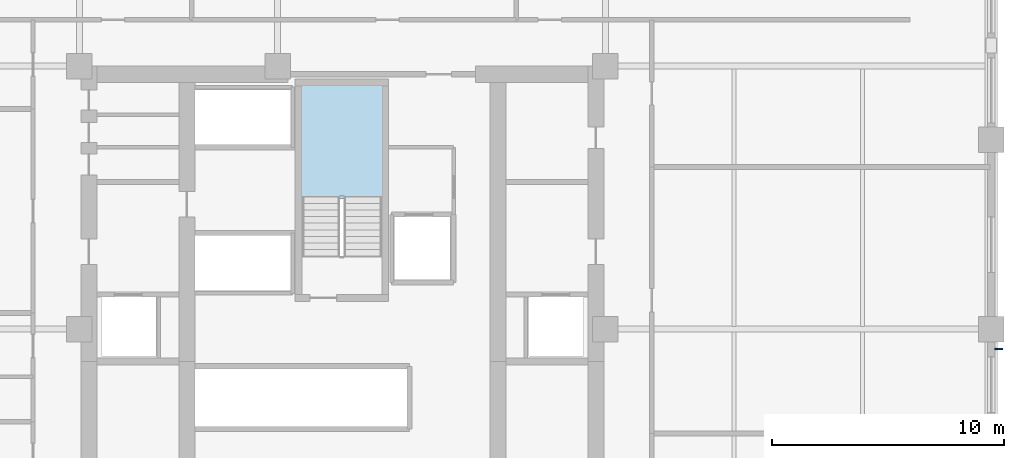
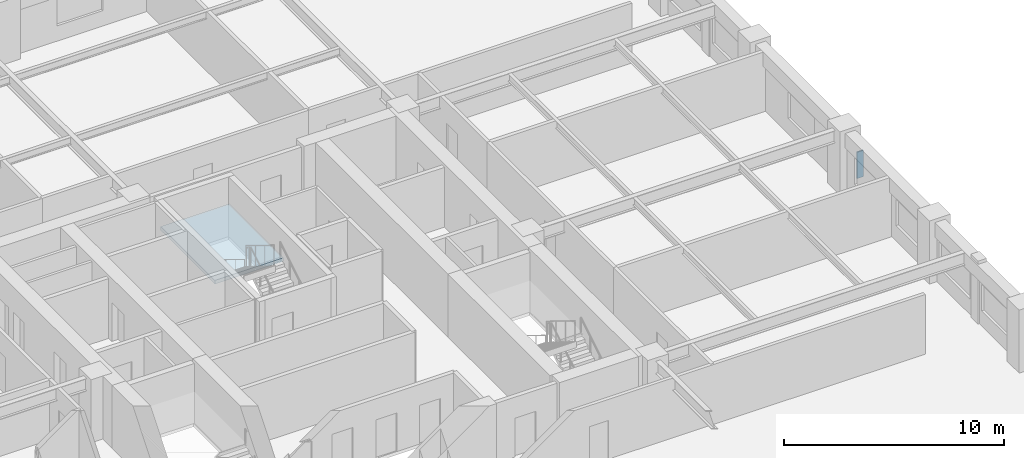
# One storey, part 6 of 13: 1 plate, 1 slab, 1 element without a shape of its own.
"""IFC4 building model written with IfcOpenShell, lengths in metres."""

from ifc_helpers import new_model, si_unit, direction, frame, origin, origin_2d, place, context, subcontext, project, spatial, polyline, rectangle, outline, extrude, material, layer, layer_set, type_object, element, aggregate, save


model = new_model("IFC4")

# Units and contexts
model_context = context("Model", 3, precision=1e-05, world=origin(), true_north=direction((0.0, 1.0)))
body_context = subcontext(model_context, "Body", "Model", "MODEL_VIEW")
ifc_project = project(units=[si_unit("LENGTHUNIT", "METRE"), si_unit("AREAUNIT", "SQUARE_METRE"), si_unit("VOLUMEUNIT", "CUBIC_METRE"), si_unit("PLANEANGLEUNIT", "RADIAN"), si_unit("MASSUNIT", "GRAM", prefix="KILO")], contexts=[model_context])

# Site, building, storey
site_placement = place(None, origin())
site = spatial("IfcSite", under=ifc_project, at=site_placement, CompositionType="ELEMENT")
building_placement = place(site_placement, origin())
building = spatial("IfcBuilding", under=site, at=building_placement, Name="Nhamokura Convention Tower", CompositionType="ELEMENT")
storey_placement = place(building_placement, frame((0.0, 0.0, 63.35009765625)))
storey = spatial("IfcBuildingStorey", under=building, at=storey_placement, Name="L14", CompositionType="ELEMENT", Elevation=63.35009765625)

# Plate
ifc_material_1 = material(Name="Anodised bronze aluminium AA6063-T6", Category="aluminium")
plate_type = type_object("IfcPlateType", Name="BronzeSolarFin_1", PredefinedType="USERDEFINED", material=ifc_material_1)
plate_placement = place(storey_placement, frame((60.330078125, 31.14990234375, 0.85009765625), z_axis=(0.0, 0.0, 1.0), x_axis=(1.0, 0.0, 0.0)))
element("IfcPlate", 1, at=plate_placement, inside=storey, type_object=plate_type, Name="L14 Bronze Solar Shading Fin EAST 2", ObjectType="SOLAR_FIN", PredefinedType="USERDEFINED", context=body_context, shape_type="SweptSolid", body=[
    extrude(rectangle(XDim=0.340087890625, YDim=0.06005859375, at=origin_2d()), origin(), (0.0, 0.0, 1.0), 1.469970703125),
])

# Stair, slab
ifc_material_2 = material(Name="Concrete C40/50", Category="concrete")
stair_type = type_object("IfcStairType", Name="TowerCoreStair_1650", PredefinedType="HALF_TURN_STAIR", material=ifc_material_2)
stair_placement = place(storey_placement, origin())
stair = element("IfcStair", 2, at=stair_placement, inside=storey, type_object=stair_type, Name="L14 North Core Smokeproof Stair ST-03", PredefinedType="HALF_TURN_STAIR")
ifc_material_3 = material(Name="Concrete C40/50", Category="concrete")
ifc_layer = layer(ifc_material_3, 0.199951171875)
ifc_layer_set = layer_set([ifc_layer], Name="StairLandingSlab_200")
slab_type = type_object("IfcSlabType", Name="StairLandingSlab_200", PredefinedType="LANDING", material=ifc_layer_set)
slab_placement = place(storey_placement, frame((0.0, 0.0, 1.5498046875)))
slab = element("IfcSlab", 3, at=slab_placement, type_object=slab_type, Name="ST-03 landing 1", PredefinedType="LANDING", context=body_context, shape_type="SweptSolid", body=[
    extrude(outline(polyline([(33.780029296875, 37.635009765625), (33.780029296875, 42.580078125), (30.169921875, 42.580078125), (30.169921875, 37.635009765625), (33.780029296875, 37.635009765625)])), origin(), (0.0, 0.0, 1.0), 0.2001953125),
])
aggregate(stair, [slab])

save(model, "model.ifc")
